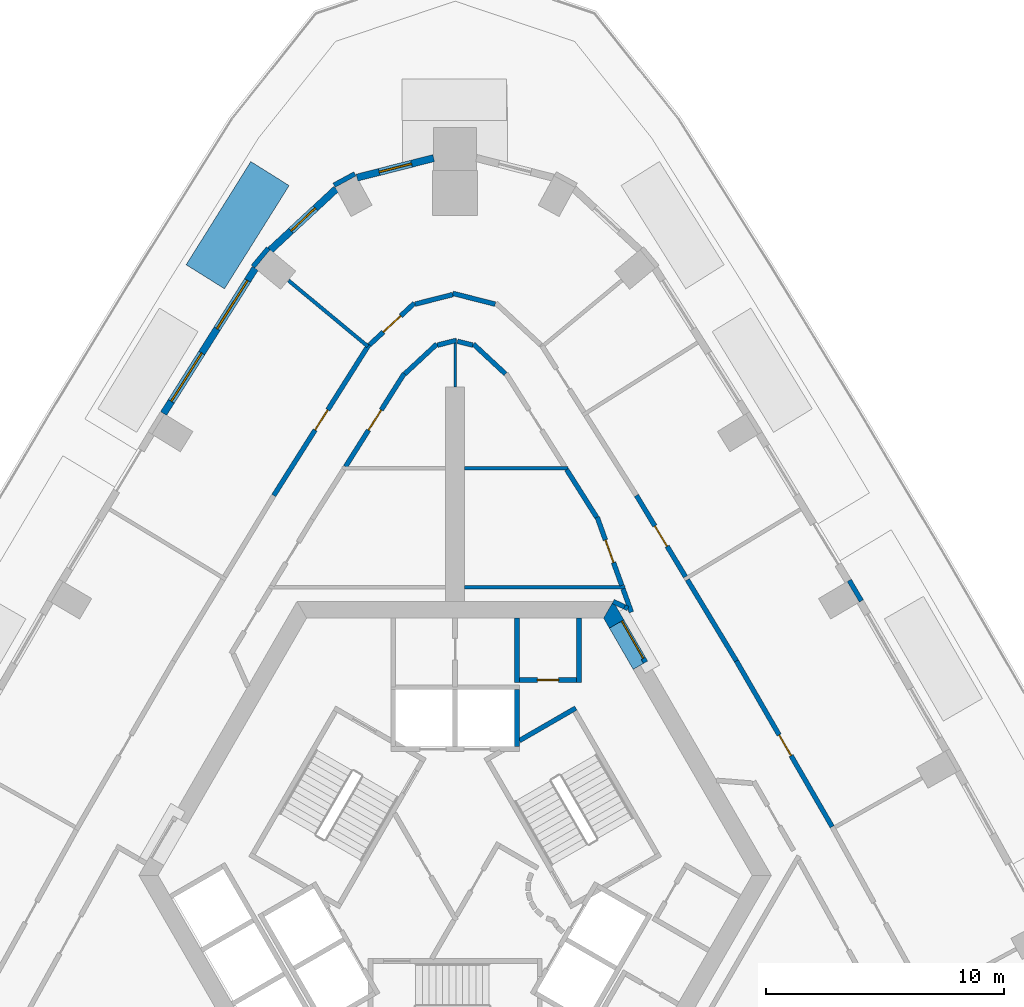
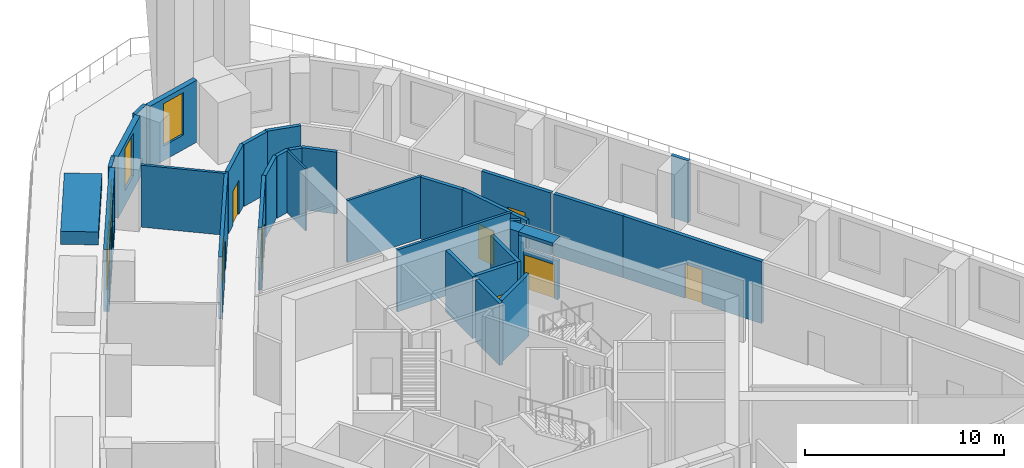
# One storey, part 9 of 13: 36 walls, 8 doors, 4 windows, 12 openings.
"""IFC4 building model written with IfcOpenShell, lengths in metres."""

import ifcopenshell
import ifcopenshell.guid

model = None  # the IFC model being written
_history = None  # IfcOwnerHistory: only IFC2X3 demands one
_inside = {}  # id of a spatial element -> (the spatial element, [elements in it])
_under = {}  # id of a project, library or spatial element -> (it, [spatial elements below it])
_declared = {}  # id of a project -> (the project, [libraries it declares])
_typed = {}  # id of a type object -> (the type object, [elements of that type])
_made_of = {}  # id of a material, layer set ... -> (it, [elements and type objects made of it])


def new_model(schema):
    """Start an empty IFC model of exactly this schema.

    Asked for "IFC4X3", IfcOpenShell would pick the latest addendum, in which some entities
    have other attributes; the version numbers below select the first issue.
    IFC2X3 requires an IfcOwnerHistory on every rooted entity: one is made here for all.
    """
    global model, _history
    if schema == "IFC4X3":
        model = ifcopenshell.file(schema_version=(4, 3, 0, 0))
    else:
        model = ifcopenshell.file(schema=schema)
    _inside.clear()
    _under.clear()
    _declared.clear()
    _typed.clear()
    _made_of.clear()
    _history = None
    if model.schema == "IFC2X3":
        org = make("IfcOrganization", Name="unknown")
        user = make(
            "IfcPersonAndOrganization",
            ThePerson=make("IfcPerson", FamilyName="unknown"),
            TheOrganization=org,
        )
        app = make(
            "IfcApplication",
            ApplicationDeveloper=org,
            Version="unknown",
            ApplicationFullName="unknown",
            ApplicationIdentifier="unknown",
        )
        _history = make(
            "IfcOwnerHistory",
            OwningUser=user,
            OwningApplication=app,
            ChangeAction="ADDED",
            CreationDate=0,
        )
    return model


def make(cls, **values):
    """One entity of the class cls with the attributes given. An attribute that is None is left unset."""
    return model.create_entity(
        cls, **{name: value for name, value in values.items() if value is not None}
    )


def rooted(cls, **values):
    """An entity with a GlobalId (a new one), such as an element, a storey or a relation."""
    return make(cls, GlobalId=ifcopenshell.guid.new(), OwnerHistory=_history, **values)


def si_unit(unit_type, name, prefix=None):
    """IfcSIUnit, for example si_unit("LENGTHUNIT", "METRE", prefix="MILLI")."""
    return make("IfcSIUnit", UnitType=unit_type, Prefix=prefix, Name=name)


def assignment(units):
    """IfcUnitAssignment: the units of a project."""
    return None if units is None else make("IfcUnitAssignment", Units=units)


def point(xyz):
    """IfcCartesianPoint."""
    return None if xyz is None else make("IfcCartesianPoint", Coordinates=xyz)


def direction(xyz):
    """IfcDirection."""
    return None if xyz is None else make("IfcDirection", DirectionRatios=xyz)


def frame(location, z_axis=None, x_axis=None):
    """IfcAxis2Placement3D, a coordinate frame: its origin and axes. An axis left out is left unset."""
    return make(
        "IfcAxis2Placement3D",
        Location=point(location),
        Axis=direction(z_axis),
        RefDirection=direction(x_axis),
    )


def frame_2d(location, x_axis=None):
    """IfcAxis2Placement2D, a coordinate frame in the plane: its origin and x axis."""
    return make(
        "IfcAxis2Placement2D", Location=point(location), RefDirection=direction(x_axis)
    )


def origin():
    """The frame at (0, 0, 0) with its axes left unset."""
    return frame((0.0, 0.0, 0.0))


def place(relative_to, where):
    """IfcLocalPlacement: puts the frame where relative to a parent placement (None: the world)."""
    return make(
        "IfcLocalPlacement", PlacementRelTo=relative_to, RelativePlacement=where
    )


def context(
    kind, dimensions, precision=None, world=None, true_north=None, identifier=None
):
    """IfcGeometricRepresentationContext, for example the 3D "Model" context."""
    return make(
        "IfcGeometricRepresentationContext",
        ContextIdentifier=identifier,
        ContextType=kind,
        CoordinateSpaceDimension=dimensions,
        Precision=precision,
        WorldCoordinateSystem=world,
        TrueNorth=true_north,
    )


def subcontext(parent, identifier, kind, view, scale=None):
    """IfcGeometricRepresentationSubContext, for example "Body" below "Model"."""
    return make(
        "IfcGeometricRepresentationSubContext",
        ContextIdentifier=identifier,
        ContextType=kind,
        ParentContext=parent,
        TargetScale=scale,
        TargetView=view,
    )


def project(units=None, contexts=None):
    """IfcProject with its units and contexts."""
    return rooted(
        "IfcProject",
        Name="project",
        RepresentationContexts=contexts,
        UnitsInContext=assignment(units),
    )


def spatial(cls, under=None, at=None, **own):
    """A site, building, storey or space (cls), placed at a placement, below another one or the project."""
    s = rooted(cls, ObjectPlacement=at, **own)
    if under is not None:
        _under.setdefault(under.id(), (under, []))[1].append(s)
    return s


def polyline(points):
    """IfcPolyline through the points."""
    return make("IfcPolyline", Points=[point(p) for p in points])


def profile(cls, at=None, kind="AREA", **sizes):
    """A parametric profile (cls). Its sizes go by their IFC names, for example OverallWidth=200.0."""
    return make(cls, ProfileType=kind, Position=at, **sizes)


def rectangle(**sizes):
    """IfcRectangleProfileDef."""
    return profile("IfcRectangleProfileDef", **sizes)


def outline(outer, holes=None, kind="AREA"):
    """IfcArbitraryClosedProfileDef: a profile drawn as a closed curve; with holes, ...WithVoids."""
    if holes is None:
        return make("IfcArbitraryClosedProfileDef", ProfileType=kind, OuterCurve=outer)
    return make(
        "IfcArbitraryProfileDefWithVoids",
        ProfileType=kind,
        OuterCurve=outer,
        InnerCurves=holes,
    )


def extrude(swept, where, along, depth):
    """IfcExtrudedAreaSolid: the profile swept, set in the frame where, extruded along a direction by depth."""
    return make(
        "IfcExtrudedAreaSolid",
        SweptArea=swept,
        Position=where,
        ExtrudedDirection=direction(along),
        Depth=depth,
    )


def shape(context_of_items, identifier, shape_type, items):
    """IfcShapeRepresentation: the items that make up one representation, for example the "Body"."""
    return make(
        "IfcShapeRepresentation",
        ContextOfItems=context_of_items,
        RepresentationIdentifier=identifier,
        RepresentationType=shape_type,
        Items=items,
    )


def material(Name=None, Category=None):
    """IfcMaterial."""
    return make("IfcMaterial", Name=Name, Category=Category)


def layer(
    of_material, thickness, ventilated=None, Name=None, Category=None, Priority=None
):
    """IfcMaterialLayer: one layer of a wall or slab, of a material (None: an air gap)."""
    return make(
        "IfcMaterialLayer",
        Material=of_material,
        LayerThickness=thickness,
        IsVentilated=ventilated,
        Name=Name,
        Category=Category,
        Priority=Priority,
    )


def layer_set(layers, Name=None):
    """IfcMaterialLayerSet."""
    return make("IfcMaterialLayerSet", MaterialLayers=layers, LayerSetName=Name)


def made_of(thing, what):
    """Note that an element or type object is made of a material, layer set ...; save() writes the relation."""
    if what is not None:
        _made_of.setdefault(what.id(), (what, []))[1].append(thing)
    return thing


def type_object(cls, material=None, **own):
    """A type object (cls), such as IfcWallType, which elements share."""
    return made_of(rooted(cls, **own), material)


def element(
    cls,
    number,
    at=None,
    inside=None,
    cuts=None,
    type_object=None,
    material=None,
    context=None,
    identifier="Body",
    shape_type=None,
    held_by="IfcProductDefinitionShape",
    body=None,
    shapes=None,
    **own,
):
    """One element of the class cls, such as IfcWall. Its Tag is "e" and its number.

    at: its placement. inside: the storey or other place that contains it. cuts: it is an
    opening in that element (IfcRelVoidsElement). A single representation is given by context,
    identifier, shape_type and body (its items); several are given by shapes. held_by: the class
    of the entity that holds the representations. save() writes the other relations.
    """
    e = rooted(cls, Tag="e%d" % number, ObjectPlacement=at, **own)
    if body is not None:
        shapes = [shape(context, identifier, shape_type, body)]
    if shapes is not None:
        e.Representation = make(held_by, Representations=shapes)
    if inside is not None:
        _inside.setdefault(inside.id(), (inside, []))[1].append(e)
    if cuts is not None:
        rooted(
            "IfcRelVoidsElement", RelatingBuildingElement=cuts, RelatedOpeningElement=e
        )
    if type_object is not None:
        _typed.setdefault(type_object.id(), (type_object, []))[1].append(e)
    return made_of(e, material)


def fill(opening, filler):
    """IfcRelFillsElement: the door or window that sits in an opening."""
    return rooted(
        "IfcRelFillsElement",
        RelatingOpeningElement=opening,
        RelatedBuildingElement=filler,
    )


def aggregate(whole, parts):
    """IfcRelAggregates: a whole, such as a stair, and the parts it consists of."""
    return rooted("IfcRelAggregates", RelatingObject=whole, RelatedObjects=parts)


def save(model, path):
    """Write the relations noted so far, then the file.

    IfcRelAggregates (storeys below a building ...), IfcRelContainedInSpatialStructure (elements
    in a storey), IfcRelDefinesByType, IfcRelAssociatesMaterial and IfcRelDeclares: one each for
    every whole, place, type object, material and project.
    """
    for whole, parts in _under.values():
        aggregate(whole, parts)
    for where, things in _inside.values():
        rooted(
            "IfcRelContainedInSpatialStructure",
            RelatedElements=things,
            RelatingStructure=where,
        )
    for kind, things in _typed.values():
        rooted("IfcRelDefinesByType", RelatedObjects=things, RelatingType=kind)
    for what, things in _made_of.values():
        rooted("IfcRelAssociatesMaterial", RelatedObjects=things, RelatingMaterial=what)
    for by, libraries in _declared.values():
        rooted("IfcRelDeclares", RelatingContext=by, RelatedDefinitions=libraries)
    model.write(path)


model = new_model("IFC4")

# Units and contexts
model_context = context("Model", 3, precision=1e-05, world=origin(), true_north=direction((0.0, 1.0)))
body_context = subcontext(model_context, "Body", "Model", "MODEL_VIEW")
ifc_project = project(units=[si_unit("LENGTHUNIT", "METRE"), si_unit("AREAUNIT", "SQUARE_METRE"), si_unit("VOLUMEUNIT", "CUBIC_METRE"), si_unit("PLANEANGLEUNIT", "RADIAN"), si_unit("MASSUNIT", "GRAM", prefix="KILO")], contexts=[model_context])

# Site, building, storey
site_placement = place(None, origin())
site = spatial("IfcSite", under=ifc_project, at=site_placement, CompositionType="ELEMENT")
building_placement = place(site_placement, origin())
building = spatial("IfcBuilding", under=site, at=building_placement, Name="Entoto Arch Interchange Tower", CompositionType="ELEMENT")
storey_placement = place(building_placement, frame((0.0, 0.0, 189.800048828125)))
storey = spatial("IfcBuildingStorey", under=building, at=storey_placement, Name="L42", CompositionType="ELEMENT", Elevation=189.800048828125)

# Wall, opening, door
ifc_material_1 = material(Name="Reinforced concrete C40/50", Category="concrete")
ifc_layer_1 = layer(ifc_material_1, 0.199951171875)
ifc_layer_set_1 = layer_set([ifc_layer_1], Name="Reinforced concrete C40/50")
wall_type_1 = type_object("IfcWallType", Name="CORE GAP INFILL WALL", PredefinedType="PARTITIONING", material=ifc_layer_set_1)
wall_1_placement = place(storey_placement, frame((7.9970703125, 11.447998046875, 0.0), z_axis=(0.0, 0.0, 1.0), x_axis=(-0.50002537861, 0.866010750942, 0.0)))
wall_1 = element("IfcWall", 1, at=wall_1_placement, inside=storey, type_object=wall_type_1, Name="wall:L42:gap2", PredefinedType="PARTITIONING", context=body_context, shape_type="SweptSolid", body=[
    extrude(rectangle(XDim=2.0, YDim=0.199951171875, at=frame_2d((1.0, 0.0))), origin(), (0.0, 0.0, 1.0), 2.39990234375),
])
opening_1_placement = place(wall_1_placement, frame((0.18994140625, 0.0, 0.0)))
opening_1 = element("IfcOpeningElement", 2, at=opening_1_placement, cuts=wall_1, Name="Opening L42-D92", PredefinedType="OPENING", context=body_context, shape_type="SweptSolid", body=[
    extrude(rectangle(XDim=1.800048828125, YDim=2.10009765625, at=frame_2d((0.89990234375, 1.050048828125))), frame((0.0, 0.10986328125, 0.0), z_axis=(0.0, -1.0, 0.0), x_axis=(1.0, 0.0, 0.0)), (0.0, 0.0, 1.0), 0.219970703125),
])
ifc_material_2 = material(Name="Fire-rated Steel S235 door and frame", Category="steel")
door_type_1 = type_object("IfcDoorType", Name="DOOR FD-18 1800x2100", OperationType="DOUBLE_DOOR_SINGLE_SWING", PredefinedType="DOOR", material=ifc_material_2)
door_1_placement = place(opening_1_placement, origin())
door_1 = element("IfcDoor", 3, at=door_1_placement, inside=storey, type_object=door_type_1, Name="door:L42:gap2", OperationType="DOUBLE_DOOR_SINGLE_SWING", OverallHeight=2.10009765625, OverallWidth=1.800048828125, PredefinedType="DOOR", context=body_context, shape_type="SweptSolid", body=[
    extrude(rectangle(XDim=1.800048828125, YDim=2.10009765625, at=frame_2d((0.89990234375, 1.050048828125))), frame((0.0, 0.02490234375, 0.0), z_axis=(0.0, -1.0, 0.0), x_axis=(1.0, 0.0, 0.0)), (0.0, 0.0, 1.0), 0.050048828125),
])
fill(opening_1, door_1)

# Walls
ifc_material_3 = material(Name="Concrete C50/60", Category="concrete")
ifc_layer_2 = layer(ifc_material_3, 0.699951171875)
ifc_layer_set_2 = layer_set([ifc_layer_2], Name="Concrete C50/60")
wall_type_2 = type_object("IfcWallType", Name="Core wall 700 C50/60", PredefinedType="SHEAR", material=ifc_layer_set_2)
wall_2_placement = place(storey_placement, frame((0.0, 0.0, -0.60009765625)))
element("IfcWall", 4, at=wall_2_placement, inside=storey, type_object=wall_type_2, Name="Core wall NE L42", PredefinedType="SHEAR", context=body_context, shape_type="SweptSolid", body=[
    extrude(outline(polyline([(6.47802734375, 12.8798828125), (7.083984375, 13.22998046875), (6.639892578125, 14.0), (6.235107421875, 13.300048828125), (6.47802734375, 12.8798828125)])), origin(), (0.0, 0.0, 1.0), 4.400146484375),
])
wall_3_placement = place(storey_placement, frame((0.0, 0.0, 3.599853515625)))
element("IfcWall", 5, at=wall_3_placement, inside=storey, type_object=wall_type_2, Name="Core wall lintel NE L42", PredefinedType="SHEAR", context=body_context, shape_type="SweptSolid", body=[
    extrude(outline(polyline([(7.083984375, 13.22998046875), (6.47802734375, 12.8798828125), (7.47802734375, 11.14794921875), (8.083984375, 11.498046875), (7.083984375, 13.22998046875)])), origin(), (0.0, 0.0, 1.0), 0.2001953125),
])
ifc_material_4 = material(Name="Concrete C40/50", Category="concrete")
ifc_layer_3 = layer(ifc_material_4, 0.199951171875)
ifc_layer_set_3 = layer_set([ifc_layer_3], Name="Concrete C40/50")
wall_type_3 = type_object("IfcWallType", Name="LIFT SHAFT WALL 200", PredefinedType="STANDARD", material=ifc_layer_set_3)
wall_4_placement = place(storey_placement, frame((2.60009765625, 7.89990234375, 0.0), z_axis=(0.0, 0.0, 1.0), x_axis=(0.0, 1.0, 0.0)))
element("IfcWall", 6, at=wall_4_placement, inside=storey, type_object=wall_type_3, Name="Shaft wall N1 cross 1", PredefinedType="STANDARD", context=body_context, shape_type="SweptSolid", body=[
    extrude(rectangle(XDim=2.400146484375, YDim=0.199951171875, at=frame_2d((1.2001953125, 0.0))), origin(), (0.0, 0.0, 1.0), 3.800048828125),
])
ifc_material_5 = material(Name="Gypsum board partition on steel studs", Category="steel")
ifc_layer_4 = layer(ifc_material_5, 0.10009765625)
ifc_layer_set_4 = layer_set([ifc_layer_4], Name="Gypsum board partition on steel studs")
wall_type_4 = type_object("IfcWallType", Name="PARTITION 100", PredefinedType="PARTITIONING", material=ifc_layer_set_4)
wall_5_placement = place(storey_placement, frame((0.0, 23.0, 0.0), z_axis=(0.0, 0.0, 1.0), x_axis=(0.0, 1.0, 0.0)))
element("IfcWall", 7, at=wall_5_placement, inside=storey, type_object=wall_type_4, Name="wall:L42:p102", PredefinedType="PARTITIONING", context=body_context, shape_type="SweptSolid", body=[
    extrude(rectangle(XDim=2.051025390625, YDim=0.10009765625, at=frame_2d((1.025390625, 0.0))), origin(), (0.0, 0.0, 1.0), 3.800048828125),
])
ifc_layer_5 = layer(ifc_material_5, 0.14990234375)
ifc_layer_set_5 = layer_set([ifc_layer_5], Name="Gypsum board partition on steel studs")
wall_type_5 = type_object("IfcWallType", Name="PARTITION 150", PredefinedType="PARTITIONING", material=ifc_layer_set_5)
wall_6_placement = place(storey_placement, frame((7.1240234375, 14.60009765625, 0.0), z_axis=(0.0, 0.0, 1.0), x_axis=(-1.0, 0.0, 0.0)))
element("IfcWall", 8, at=wall_6_placement, inside=storey, type_object=wall_type_5, Name="wall:L42:p077", PredefinedType="PARTITIONING", context=body_context, shape_type="SweptSolid", body=[
    extrude(rectangle(XDim=6.72412109375, YDim=0.14990234375, at=frame_2d((3.362060546875, 0.0))), origin(), (0.0, 0.0, 1.0), 3.800048828125),
])
wall_7_placement = place(storey_placement, frame((0.39990234375, 19.60009765625, 0.0), z_axis=(0.0, 0.0, 1.0), x_axis=(1.0, 0.0, 0.0)))
element("IfcWall", 9, at=wall_7_placement, inside=storey, type_object=wall_type_5, Name="wall:L42:p100", PredefinedType="PARTITIONING", context=body_context, shape_type="SweptSolid", body=[
    extrude(rectangle(XDim=4.342041015625, YDim=0.14990234375, at=frame_2d((2.1708984375, 0.0))), origin(), (0.0, 0.0, 1.0), 3.800048828125),
])
wall_8_placement = place(storey_placement, frame((-3.6630859375, 24.7099609375, 0.0), z_axis=(0.0, 0.0, 1.0), x_axis=(-0.76953221629, 0.638607992505, 0.0)))
element("IfcWall", 10, at=wall_8_placement, inside=storey, type_object=wall_type_5, Name="wall:L42:p116", PredefinedType="PARTITIONING", context=body_context, shape_type="SweptSolid", body=[
    extrude(rectangle(XDim=4.329833984375, YDim=0.14990234375, at=frame_2d((2.1650390625, 0.0))), origin(), (0.0, 0.0, 1.0), 3.800048828125),
])
ifc_layer_6 = layer(ifc_material_5, 0.199951171875)
ifc_layer_set_6 = layer_set([ifc_layer_6], Name="Gypsum board partition on steel studs")
wall_type_6 = type_object("IfcWallType", Name="PARTITION 200", PredefinedType="PARTITIONING", material=ifc_layer_set_6)
wall_9_placement = place(storey_placement, frame((6.639892578125, 14.0, 0.0), z_axis=(0.0, 0.0, 1.0), x_axis=(0.899046412443, -0.437853341055, 0.0)))
element("IfcWall", 11, at=wall_9_placement, inside=storey, type_object=wall_type_6, Name="wall:L42:p001", PredefinedType="PARTITIONING", context=body_context, shape_type="SweptSolid", body=[
    extrude(rectangle(XDim=0.52294921875, YDim=0.199951171875, at=frame_2d((0.261474609375, 0.0))), origin(), (0.0, 0.0, 1.0), 3.800048828125),
])
wall_10_placement = place(storey_placement, frame((7.40087890625, 13.552001953125, 0.0), z_axis=(0.0, 0.0, 1.0), x_axis=(-0.337944878606, 0.941165904091, 0.0)))
element("IfcWall", 12, at=wall_10_placement, inside=storey, type_object=wall_type_6, Name="wall:L42:p002", PredefinedType="PARTITIONING", context=body_context, shape_type="SweptSolid", body=[
    extrude(rectangle(XDim=1.0380859375, YDim=0.199951171875, at=frame_2d((0.51904296875, 0.0))), origin(), (0.0, 0.0, 1.0), 3.800048828125),
])

# Wall, opening, door
wall_11_placement = place(storey_placement, frame((6.9990234375, 14.6708984375, 0.0), z_axis=(0.0, 0.0, 1.0), x_axis=(-0.338795881304, 0.940859899672, 0.0)))
wall_11 = element("IfcWall", 13, at=wall_11_placement, inside=storey, type_object=wall_type_6, Name="wall:L42:p007", PredefinedType="PARTITIONING", context=body_context, shape_type="SweptSolid", body=[
    extrude(rectangle(XDim=3.0546875, YDim=0.199951171875, at=frame_2d((1.52734375, 0.0))), origin(), (0.0, 0.0, 1.0), 3.800048828125),
])
opening_2_placement = place(wall_11_placement, frame((1.027099609375, 0.0, 0.0)))
opening_2 = element("IfcOpeningElement", 14, at=opening_2_placement, cuts=wall_11, Name="Opening L42-D21", PredefinedType="OPENING", context=body_context, shape_type="SweptSolid", body=[
    extrude(rectangle(XDim=1.0, YDim=2.10009765625, at=frame_2d((0.5, 1.050048828125))), frame((0.0, 0.10986328125, 0.0), z_axis=(0.0, -1.0, 0.0), x_axis=(1.0, 0.0, 0.0)), (0.0, 0.0, 1.0), 0.219970703125),
])
ifc_material_6 = material(Name="Timber door leaf in Steel S235 frame", Category="steel")
door_type_2 = type_object("IfcDoorType", Name="DOOR DS-10 1000x2100", OperationType="SINGLE_SWING_LEFT", PredefinedType="DOOR", material=ifc_material_6)
door_2_placement = place(opening_2_placement, origin())
door_2 = element("IfcDoor", 15, at=door_2_placement, inside=storey, type_object=door_type_2, Name="door:L42:21", OperationType="SINGLE_SWING_LEFT", OverallHeight=2.10009765625, OverallWidth=1.0, PredefinedType="DOOR", context=body_context, shape_type="SweptSolid", body=[
    extrude(rectangle(XDim=1.0, YDim=2.10009765625, at=frame_2d((0.5, 1.050048828125))), frame((0.0, 0.02490234375, 0.0), z_axis=(0.0, -1.0, 0.0), x_axis=(1.0, 0.0, 0.0)), (0.0, 0.0, 1.0), 0.050048828125),
])
fill(opening_2, door_2)

# Walls
wall_12_placement = place(storey_placement, frame((5.945068359375, 17.534912109375, 0.0), z_axis=(0.0, 0.0, 1.0), x_axis=(-0.533581643518, 0.845748561749, 0.0)))
element("IfcWall", 16, at=wall_12_placement, inside=storey, type_object=wall_type_6, Name="wall:L42:p008", PredefinedType="PARTITIONING", context=body_context, shape_type="SweptSolid", body=[
    extrude(rectangle(XDim=2.367431640625, YDim=0.199951171875, at=frame_2d((1.18359375, 0.0))), origin(), (0.0, 0.0, 1.0), 3.800048828125),
])
wall_13_placement = place(storey_placement, frame((2.115966796875, 23.553955078125, 0.0), z_axis=(0.0, 0.0, 1.0), x_axis=(-0.732722533409, 0.680527507919, 0.0)))
element("IfcWall", 17, at=wall_13_placement, inside=storey, type_object=wall_type_6, Name="wall:L42:p012", PredefinedType="PARTITIONING", context=body_context, shape_type="SweptSolid", body=[
    extrude(rectangle(XDim=1.838134765625, YDim=0.199951171875, at=frame_2d((0.9189453125, 0.0))), origin(), (0.0, 0.0, 1.0), 3.800048828125),
])
wall_14_placement = place(storey_placement, frame((0.7451171875, 24.760986328125, 0.0), z_axis=(0.0, 0.0, 1.0), x_axis=(-0.969081307177, 0.246741605895, 0.0)))
element("IfcWall", 18, at=wall_14_placement, inside=storey, type_object=wall_type_6, Name="wall:L42:p013", PredefinedType="PARTITIONING", context=body_context, shape_type="SweptSolid", body=[
    extrude(rectangle(XDim=0.6689453125, YDim=0.199951171875, at=frame_2d((0.33447265625, 0.0))), origin(), (0.0, 0.0, 1.0), 3.800048828125),
])
wall_15_placement = place(storey_placement, frame((0.048095703125, 24.962890625, 0.0), z_axis=(0.0, 0.0, 1.0), x_axis=(-0.969098470359, -0.246674187438, 0.0)))
element("IfcWall", 19, at=wall_15_placement, inside=storey, type_object=wall_type_6, Name="wall:L42:p014", PredefinedType="PARTITIONING", context=body_context, shape_type="SweptSolid", body=[
    extrude(rectangle(XDim=0.818603515625, YDim=0.199951171875, at=frame_2d((0.4091796875, 0.0))), origin(), (0.0, 0.0, 1.0), 3.800048828125),
])
wall_16_placement = place(storey_placement, frame((-0.76904296875, 24.804931640625, 0.0), z_axis=(0.0, 0.0, 1.0), x_axis=(-0.732722533409, -0.680527507919, 0.0)))
element("IfcWall", 20, at=wall_16_placement, inside=storey, type_object=wall_type_6, Name="wall:L42:p015", PredefinedType="PARTITIONING", context=body_context, shape_type="SweptSolid", body=[
    extrude(rectangle(XDim=1.838134765625, YDim=0.199951171875, at=frame_2d((0.9189453125, 0.0))), origin(), (0.0, 0.0, 1.0), 3.800048828125),
])

# Wall, opening, door
wall_17_placement = place(storey_placement, frame((-2.135986328125, 23.571044921875, 0.0), z_axis=(0.0, 0.0, 1.0), x_axis=(-0.533664968846, -0.845695986171, 0.0)))
wall_17 = element("IfcWall", 21, at=wall_17_placement, inside=storey, type_object=wall_type_6, Name="wall:L42:p016", PredefinedType="PARTITIONING", context=body_context, shape_type="SweptSolid", body=[
    extrude(rectangle(XDim=4.62109375, YDim=0.199951171875, at=frame_2d((2.310546875, 0.0))), origin(), (0.0, 0.0, 1.0), 3.800048828125),
])
opening_3_placement = place(wall_17_placement, frame((1.81005859375, 0.0, 0.0)))
opening_3 = element("IfcOpeningElement", 22, at=opening_3_placement, cuts=wall_17, Name="Opening L42-D24", PredefinedType="OPENING", context=body_context, shape_type="SweptSolid", body=[
    extrude(rectangle(XDim=1.0, YDim=2.10009765625, at=frame_2d((0.5, 1.050048828125))), frame((0.0, 0.10986328125, 0.0), z_axis=(0.0, -1.0, 0.0), x_axis=(1.0, 0.0, 0.0)), (0.0, 0.0, 1.0), 0.219970703125),
])
door_3_placement = place(opening_3_placement, origin())
door_3 = element("IfcDoor", 23, at=door_3_placement, inside=storey, type_object=door_type_2, Name="door:L42:24", OperationType="SINGLE_SWING_LEFT", OverallHeight=2.10009765625, OverallWidth=1.0, PredefinedType="DOOR", context=body_context, shape_type="SweptSolid", body=[
    extrude(rectangle(XDim=1.0, YDim=2.10009765625, at=frame_2d((0.5, 1.050048828125))), frame((0.0, 0.02490234375, 0.0), z_axis=(0.0, -1.0, 0.0), x_axis=(1.0, 0.0, 0.0)), (0.0, 0.0, 1.0), 0.050048828125),
])
fill(opening_3, door_3)

# Wall
wall_18_placement = place(storey_placement, frame((9.751953125, 14.910888671875, 0.0), z_axis=(0.0, 0.0, 1.0), x_axis=(0.517135291957, -0.855903668535, 0.0)))
element("IfcWall", 24, at=wall_18_placement, inside=storey, type_object=wall_type_6, Name="wall:L42:p043", PredefinedType="PARTITIONING", context=body_context, shape_type="SweptSolid", body=[
    extrude(rectangle(XDim=3.981689453125, YDim=0.199951171875, at=frame_2d((1.99072265625, 0.0))), origin(), (0.0, 0.0, 1.0), 3.800048828125),
])

# Wall, opening, door
wall_19_placement = place(storey_placement, frame((11.81103515625, 11.5029296875, 0.0), z_axis=(0.0, 0.0, 1.0), x_axis=(0.500013420409, -0.866017655369, 0.0)))
wall_19 = element("IfcWall", 25, at=wall_19_placement, inside=storey, type_object=wall_type_6, Name="wall:L42:p044", PredefinedType="PARTITIONING", context=body_context, shape_type="SweptSolid", body=[
    extrude(rectangle(XDim=8.037841796875, YDim=0.199951171875, at=frame_2d((4.01904296875, 0.0))), origin(), (0.0, 0.0, 1.0), 3.800048828125),
])
opening_4_placement = place(wall_19_placement, frame((3.593994140625, 0.0, 0.0)))
opening_4 = element("IfcOpeningElement", 26, at=opening_4_placement, cuts=wall_19, Name="Opening L42-D06", PredefinedType="OPENING", context=body_context, shape_type="SweptSolid", body=[
    extrude(rectangle(XDim=1.0, YDim=2.10009765625, at=frame_2d((0.5, 1.050048828125))), frame((0.0, 0.10986328125, 0.0), z_axis=(0.0, -1.0, 0.0), x_axis=(1.0, 0.0, 0.0)), (0.0, 0.0, 1.0), 0.219970703125),
])
door_4_placement = place(opening_4_placement, origin())
door_4 = element("IfcDoor", 27, at=door_4_placement, inside=storey, type_object=door_type_2, Name="door:L42:06", OperationType="SINGLE_SWING_LEFT", OverallHeight=2.10009765625, OverallWidth=1.0, PredefinedType="DOOR", context=body_context, shape_type="SweptSolid", body=[
    extrude(rectangle(XDim=1.0, YDim=2.10009765625, at=frame_2d((0.5, 1.050048828125))), frame((0.0, 0.02490234375, 0.0), z_axis=(0.0, -1.0, 0.0), x_axis=(1.0, 0.0, 0.0)), (0.0, 0.0, 1.0), 0.050048828125),
])
fill(opening_4, door_4)

wall_20_placement = place(storey_placement, frame((7.614990234375, 18.448974609375, 0.0), z_axis=(0.0, 0.0, 1.0), x_axis=(0.516918251554, -0.856034766356, 0.0)))
wall_20 = element("IfcWall", 28, at=wall_20_placement, inside=storey, type_object=wall_type_6, Name="wall:L42:p046", PredefinedType="PARTITIONING", context=body_context, shape_type="SweptSolid", body=[
    extrude(rectangle(XDim=3.9833984375, YDim=0.199951171875, at=frame_2d((1.99169921875, 0.0))), origin(), (0.0, 0.0, 1.0), 3.800048828125),
])
opening_5_placement = place(wall_20_placement, frame((1.491943359375, 0.0, 0.0)))
opening_5 = element("IfcOpeningElement", 29, at=opening_5_placement, cuts=wall_20, Name="Opening L42-D07", PredefinedType="OPENING", context=body_context, shape_type="SweptSolid", body=[
    extrude(rectangle(XDim=1.0, YDim=2.10009765625, at=frame_2d((0.5, 1.050048828125))), frame((0.0, 0.10986328125, 0.0), z_axis=(0.0, -1.0, 0.0), x_axis=(1.0, 0.0, 0.0)), (0.0, 0.0, 1.0), 0.219970703125),
])
door_5_placement = place(opening_5_placement, origin())
door_5 = element("IfcDoor", 30, at=door_5_placement, inside=storey, type_object=door_type_2, Name="door:L42:07", OperationType="SINGLE_SWING_LEFT", OverallHeight=2.10009765625, OverallWidth=1.0, PredefinedType="DOOR", context=body_context, shape_type="SweptSolid", body=[
    extrude(rectangle(XDim=1.0, YDim=2.10009765625, at=frame_2d((0.5, 1.050048828125))), frame((0.0, 0.02490234375, 0.0), z_axis=(0.0, -1.0, 0.0), x_axis=(1.0, 0.0, 0.0)), (0.0, 0.0, 1.0), 0.050048828125),
])
fill(opening_5, door_5)

wall_21_placement = place(storey_placement, frame((-3.590087890625, 24.778076171875, 0.0), z_axis=(0.0, 0.0, 1.0), x_axis=(0.732939008525, 0.680294355248, 0.0)))
wall_21 = element("IfcWall", 31, at=wall_21_placement, inside=storey, type_object=wall_type_6, Name="wall:L42:p048", PredefinedType="PARTITIONING", context=body_context, shape_type="SweptSolid", body=[
    extrude(rectangle(XDim=2.569091796875, YDim=0.199951171875, at=frame_2d((1.28466796875, 0.0))), origin(), (0.0, 0.0, 1.0), 3.800048828125),
])
opening_6_placement = place(wall_21_placement, frame((0.784912109375, 0.0, 0.0)))
opening_6 = element("IfcOpeningElement", 32, at=opening_6_placement, cuts=wall_21, Name="Opening L42-D09", PredefinedType="OPENING", context=body_context, shape_type="SweptSolid", body=[
    extrude(rectangle(XDim=1.0, YDim=2.10009765625, at=frame_2d((0.5, 1.050048828125))), frame((0.0, 0.10986328125, 0.0), z_axis=(0.0, -1.0, 0.0), x_axis=(1.0, 0.0, 0.0)), (0.0, 0.0, 1.0), 0.219970703125),
])
door_6_placement = place(opening_6_placement, origin())
door_6 = element("IfcDoor", 33, at=door_6_placement, inside=storey, type_object=door_type_2, Name="door:L42:09", OperationType="SINGLE_SWING_LEFT", OverallHeight=2.10009765625, OverallWidth=1.0, PredefinedType="DOOR", context=body_context, shape_type="SweptSolid", body=[
    extrude(rectangle(XDim=1.0, YDim=2.10009765625, at=frame_2d((0.5, 1.050048828125))), frame((0.0, 0.02490234375, 0.0), z_axis=(0.0, -1.0, 0.0), x_axis=(1.0, 0.0, 0.0)), (0.0, 0.0, 1.0), 0.050048828125),
])
fill(opening_6, door_6)

# Walls
wall_22_placement = place(storey_placement, frame((-1.68310546875, 26.48291015625, 0.0), z_axis=(0.0, 0.0, 1.0), x_axis=(0.969053723172, 0.246849917169, 0.0)))
element("IfcWall", 34, at=wall_22_placement, inside=storey, type_object=wall_type_6, Name="wall:L42:p049", PredefinedType="PARTITIONING", context=body_context, shape_type="SweptSolid", body=[
    extrude(rectangle(XDim=1.63671875, YDim=0.199951171875, at=frame_2d((0.818359375, 0.0))), origin(), (0.0, 0.0, 1.0), 3.800048828125),
])
wall_23_placement = place(storey_placement, frame((-0.096923828125, 26.93603515625, 0.0), z_axis=(0.0, 0.0, 1.0), x_axis=(0.969093707519, -0.246692898252, 0.0)))
element("IfcWall", 35, at=wall_23_placement, inside=storey, type_object=wall_type_6, Name="wall:L42:p050", PredefinedType="PARTITIONING", context=body_context, shape_type="SweptSolid", body=[
    extrude(rectangle(XDim=1.8369140625, YDim=0.199951171875, at=frame_2d((0.91845703125, 0.0))), origin(), (0.0, 0.0, 1.0), 3.800048828125),
])

# Wall, opening, door
wall_24_placement = place(storey_placement, frame((-7.614990234375, 18.448974609375, 0.0), z_axis=(0.0, 0.0, 1.0), x_axis=(0.533699180497, 0.845674396406, 0.0)))
wall_24 = element("IfcWall", 36, at=wall_24_placement, inside=storey, type_object=wall_type_6, Name="wall:L42:p053", PredefinedType="PARTITIONING", context=body_context, shape_type="SweptSolid", body=[
    extrude(rectangle(XDim=7.50390625, YDim=0.199951171875, at=frame_2d((3.751953125, 0.0))), origin(), (0.0, 0.0, 1.0), 3.800048828125),
])
opening_7_placement = place(wall_24_placement, frame((3.251953125, 0.0, 0.0)))
opening_7 = element("IfcOpeningElement", 37, at=opening_7_placement, cuts=wall_24, Name="Opening L42-D10", PredefinedType="OPENING", context=body_context, shape_type="SweptSolid", body=[
    extrude(rectangle(XDim=1.0, YDim=2.10009765625, at=frame_2d((0.5, 1.050048828125))), frame((0.0, 0.10986328125, 0.0), z_axis=(0.0, -1.0, 0.0), x_axis=(1.0, 0.0, 0.0)), (0.0, 0.0, 1.0), 0.219970703125),
])
door_7_placement = place(opening_7_placement, origin())
door_7 = element("IfcDoor", 38, at=door_7_placement, inside=storey, type_object=door_type_2, Name="door:L42:10", OperationType="SINGLE_SWING_RIGHT", OverallHeight=2.10009765625, OverallWidth=1.0, PredefinedType="DOOR", context=body_context, shape_type="SweptSolid", body=[
    extrude(rectangle(XDim=1.0, YDim=2.10009765625, at=frame_2d((0.5, 1.050048828125))), frame((0.0, 0.02490234375, 0.0), z_axis=(0.0, -1.0, 0.0), x_axis=(1.0, 0.0, 0.0)), (0.0, 0.0, 1.0), 0.050048828125),
])
fill(opening_7, door_7)

# Wall
wall_25_placement = place(storey_placement, frame((5.199951171875, 13.300048828125, 0.0), z_axis=(0.0, 0.0, 1.0), x_axis=(0.0, -1.0, 0.0)))
element("IfcWall", 39, at=wall_25_placement, inside=storey, type_object=wall_type_6, Name="wall:L42:p066", PredefinedType="PARTITIONING", context=body_context, shape_type="SweptSolid", body=[
    extrude(rectangle(XDim=2.699951171875, YDim=0.199951171875, at=frame_2d((1.35009765625, 0.0))), origin(), (0.0, 0.0, 1.0), 3.800048828125),
])

# Wall, opening, door
wall_26_placement = place(storey_placement, frame((5.10009765625, 10.699951171875, 0.0), z_axis=(0.0, 0.0, 1.0), x_axis=(-1.0, 0.0, 0.0)))
wall_26 = element("IfcWall", 40, at=wall_26_placement, inside=storey, type_object=wall_type_6, Name="wall:L42:p067", PredefinedType="PARTITIONING", context=body_context, shape_type="SweptSolid", body=[
    extrude(rectangle(XDim=2.400146484375, YDim=0.199951171875, at=frame_2d((1.2001953125, 0.0))), origin(), (0.0, 0.0, 1.0), 3.800048828125),
])
opening_8_placement = place(wall_26_placement, frame((0.75, 0.0, 0.0)))
opening_8 = element("IfcOpeningElement", 41, at=opening_8_placement, cuts=wall_26, Name="Opening L42-D30", PredefinedType="OPENING", context=body_context, shape_type="SweptSolid", body=[
    extrude(rectangle(XDim=0.89990234375, YDim=2.10009765625, at=frame_2d((0.449951171875, 1.050048828125))), frame((0.0, 0.10986328125, 0.0), z_axis=(0.0, -1.0, 0.0), x_axis=(1.0, 0.0, 0.0)), (0.0, 0.0, 1.0), 0.219970703125),
])
door_type_3 = type_object("IfcDoorType", Name="DOOR DS-09 900x2100", OperationType="SINGLE_SWING_LEFT", PredefinedType="DOOR", material=ifc_material_6)
door_8_placement = place(opening_8_placement, origin())
door_8 = element("IfcDoor", 42, at=door_8_placement, inside=storey, type_object=door_type_3, Name="door:L42:30", OperationType="SINGLE_SWING_RIGHT", OverallHeight=2.10009765625, OverallWidth=0.89990234375, PredefinedType="DOOR", context=body_context, shape_type="SweptSolid", body=[
    extrude(rectangle(XDim=0.89990234375, YDim=2.10009765625, at=frame_2d((0.449951171875, 1.050048828125))), frame((0.0, 0.02490234375, 0.0), z_axis=(0.0, -1.0, 0.0), x_axis=(1.0, 0.0, 0.0)), (0.0, 0.0, 1.0), 0.050048828125),
])
fill(opening_8, door_8)

# Walls
wall_27_placement = place(storey_placement, frame((2.60009765625, 10.60009765625, 0.0), z_axis=(0.0, 0.0, 1.0), x_axis=(0.0, 1.0, 0.0)))
element("IfcWall", 43, at=wall_27_placement, inside=storey, type_object=wall_type_6, Name="wall:L42:p068", PredefinedType="PARTITIONING", context=body_context, shape_type="SweptSolid", body=[
    extrude(rectangle(XDim=2.699951171875, YDim=0.199951171875, at=frame_2d((1.35009765625, 0.0))), origin(), (0.0, 0.0, 1.0), 3.800048828125),
])
wall_28_placement = place(storey_placement, frame((7.110107421875, 13.77099609375, 0.0), z_axis=(0.0, 0.0, 1.0), x_axis=(0.900120852209, -0.435640277545, 0.0)))
element("IfcWall", 44, at=wall_28_placement, inside=storey, type_object=wall_type_6, Name="wall:L42:p001", PredefinedType="PARTITIONING", context=body_context, shape_type="SweptSolid", body=[
    extrude(rectangle(XDim=0.160888671875, YDim=0.199951171875, at=frame_2d((0.08056640625, 0.0))), origin(), (0.0, 0.0, 1.0), 2.39990234375),
])
ifc_material_7 = material(Name="Board-marked precast concrete C50/60", Category="concrete")
ifc_layer_7 = layer(ifc_material_7, 1.89990234375)
ifc_layer_set_7 = layer_set([ifc_layer_7], Name="Board-marked precast concrete C50/60")
wall_type_7 = type_object("IfcWallType", Name="PLANTER RC 1900 Juniperus procera", PredefinedType="STANDARD", material=ifc_layer_set_7)
wall_29_placement = place(storey_placement, frame((-7.77392578125, 31.967041015625, 0.0), z_axis=(0.0, 0.0, 1.0), x_axis=(-0.530891180882, -0.847440000272, 0.0)))
element("IfcWall", 45, at=wall_29_placement, inside=storey, type_object=wall_type_7, Name="Terrace planter NW-01 L42", PredefinedType="STANDARD", context=body_context, shape_type="SweptSolid", body=[
    extrude(rectangle(XDim=5.1142578125, YDim=1.89990234375, at=frame_2d((2.55712890625, 0.0))), origin(), (0.0, 0.0, 1.0), 0.800048828125),
])
ifc_layer_8 = layer(ifc_material_4, 0.199951171875)
ifc_layer_set_8 = layer_set([ifc_layer_8], Name="Concrete C40/50")
wall_type_8 = type_object("IfcWallType", Name="STAIR ENCLOSURE WALL 200", PredefinedType="STANDARD", material=ifc_layer_set_8)
wall_30_placement = place(storey_placement, frame((2.699951171875, 8.157958984375, 0.0), z_axis=(0.0, 0.0, 1.0), x_axis=(0.86611865017, 0.499838457731, 0.0)))
element("IfcWall", 46, at=wall_30_placement, inside=storey, type_object=wall_type_8, Name="Stair wall ST-NE far", PredefinedType="STANDARD", context=body_context, shape_type="SweptSolid", body=[
    extrude(rectangle(XDim=2.73291015625, YDim=0.199951171875, at=frame_2d((1.366455078125, 0.0))), origin(), (0.0, 0.0, 1.0), 3.800048828125),
])

# Wall, opening, window
ifc_material_8 = material(Name="Welded tuff (ignimbrite) cladding, warm buff", Category="masonry")
ifc_layer_9 = layer(ifc_material_8, 0.300048828125)
ifc_layer_set_9 = layer_set([ifc_layer_9], Name="Welded tuff (ignimbrite) cladding, warm buff")
wall_type_9 = type_object("IfcWallType", Name="STONE INFILL WALL 300", PredefinedType="STANDARD", material=ifc_layer_set_9)
wall_31_placement = place(storey_placement, frame((-0.89892578125, 32.615966796875, 0.0), z_axis=(0.0, 0.0, 1.0), x_axis=(-0.969087915137, -0.24671565158, 0.0)))
wall_31 = element("IfcWall", 47, at=wall_31_placement, inside=storey, type_object=wall_type_9, Name="Facade wall N-03 L42", PredefinedType="STANDARD", context=body_context, shape_type="SweptSolid", body=[
    extrude(rectangle(XDim=3.323974609375, YDim=0.300048828125, at=frame_2d((1.662109375, 0.0))), origin(), (0.0, 0.0, 1.0), 3.800048828125),
])
opening_9_placement = place(wall_31_placement, frame((0.9619140625, 0.0, 0.89990234375)))
opening_9 = element("IfcOpeningElement", 48, at=opening_9_placement, cuts=wall_31, Name="Opening WO-B", PredefinedType="OPENING", context=body_context, shape_type="SweptSolid", body=[
    extrude(rectangle(XDim=1.39990234375, YDim=2.60009765625, at=frame_2d((0.699951171875, 1.300048828125))), frame((0.0, 0.16015625, 0.0), z_axis=(0.0, -1.0, 0.0), x_axis=(1.0, 0.0, 0.0)), (0.0, 0.0, 1.0), 0.320068359375),
])
ifc_material_9 = material(Name="Clear glass, low-e double glazed", Category="glass")
window_type_1 = type_object("IfcWindowType", Name="WINDOW WO-B 1400x2600", PartitioningType="DOUBLE_PANEL_VERTICAL", PredefinedType="WINDOW", material=ifc_material_9)
window_1_placement = place(opening_9_placement, origin())
window_1 = element("IfcWindow", 49, at=window_1_placement, inside=storey, type_object=window_type_1, Name="Window WO-B N-03 L42", OverallHeight=2.60009765625, OverallWidth=1.39990234375, PartitioningType="SINGLE_PANEL", PredefinedType="WINDOW", context=body_context, shape_type="SweptSolid", body=[
    extrude(rectangle(XDim=1.39990234375, YDim=2.60009765625, at=frame_2d((0.699951171875, 1.300048828125))), frame((0.0, 0.030029296875, 0.0), z_axis=(0.0, -1.0, 0.0), x_axis=(1.0, 0.0, 0.0)), (0.0, 0.0, 1.0), 0.06005859375),
])
fill(opening_9, window_1)

wall_32_placement = place(storey_placement, frame((-4.99609375, 31.319091796875, 0.0), z_axis=(0.0, 0.0, 1.0), x_axis=(-0.732897351132, -0.680339233547, 0.0)))
wall_32 = element("IfcWall", 50, at=wall_32_placement, inside=storey, type_object=wall_type_9, Name="Facade wall N-04 L42", PredefinedType="STANDARD", context=body_context, shape_type="SweptSolid", body=[
    extrude(rectangle(XDim=3.767333984375, YDim=0.300048828125, at=frame_2d((1.8837890625, 0.0))), origin(), (0.0, 0.0, 1.0), 3.800048828125),
])
opening_10_placement = place(wall_32_placement, frame((1.18408203125, 0.0, 0.89990234375)))
opening_10 = element("IfcOpeningElement", 51, at=opening_10_placement, cuts=wall_32, Name="Opening WO-B", PredefinedType="OPENING", context=body_context, shape_type="SweptSolid", body=[
    extrude(rectangle(XDim=1.39990234375, YDim=2.60009765625, at=frame_2d((0.699951171875, 1.300048828125))), frame((0.0, 0.16015625, 0.0), z_axis=(0.0, -1.0, 0.0), x_axis=(1.0, 0.0, 0.0)), (0.0, 0.0, 1.0), 0.320068359375),
])
window_2_placement = place(opening_10_placement, origin())
window_2 = element("IfcWindow", 52, at=window_2_placement, inside=storey, type_object=window_type_1, Name="Window WO-B N-04 L42", OverallHeight=2.60009765625, OverallWidth=1.39990234375, PartitioningType="SINGLE_PANEL", PredefinedType="WINDOW", context=body_context, shape_type="SweptSolid", body=[
    extrude(rectangle(XDim=1.39990234375, YDim=2.60009765625, at=frame_2d((0.699951171875, 1.300048828125))), frame((0.0, 0.030029296875, 0.0), z_axis=(0.0, -1.0, 0.0), x_axis=(1.0, 0.0, 0.0)), (0.0, 0.0, 1.0), 0.06005859375),
])
fill(opening_10, window_2)

# Wall, openings, windows
wall_33_placement = place(storey_placement, frame((-8.39404296875, 27.988037109375, 0.0), z_axis=(0.0, 0.0, 1.0), x_axis=(-0.533680752529, -0.845686025887, 0.0)))
wall_33 = element("IfcWall", 53, at=wall_33_placement, inside=storey, type_object=wall_type_9, Name="Facade wall NW-01 L42", PredefinedType="STANDARD", context=body_context, shape_type="SweptSolid", body=[
    extrude(rectangle(XDim=7.208251953125, YDim=0.300048828125, at=frame_2d((3.60400390625, 0.0))), origin(), (0.0, 0.0, 1.0), 3.800048828125),
])
opening_11_placement = place(wall_33_placement, frame((0.60205078125, 0.0, 0.89990234375)))
opening_11 = element("IfcOpeningElement", 54, at=opening_11_placement, cuts=wall_33, Name="Opening WO-A", PredefinedType="OPENING", context=body_context, shape_type="SweptSolid", body=[
    extrude(rectangle(XDim=2.39990234375, YDim=2.60009765625, at=frame_2d((1.199951171875, 1.300048828125))), frame((0.0, 0.16015625, 0.0), z_axis=(0.0, -1.0, 0.0), x_axis=(1.0, 0.0, 0.0)), (0.0, 0.0, 1.0), 0.320068359375),
])
opening_12_placement = place(wall_33_placement, frame((4.2060546875, 0.0, 0.89990234375)))
opening_12 = element("IfcOpeningElement", 55, at=opening_12_placement, cuts=wall_33, Name="Opening WO-A", PredefinedType="OPENING", context=body_context, shape_type="SweptSolid", body=[
    extrude(rectangle(XDim=2.39990234375, YDim=2.60009765625, at=frame_2d((1.199951171875, 1.300048828125))), frame((0.0, 0.16015625, 0.0), z_axis=(0.0, -1.0, 0.0), x_axis=(1.0, 0.0, 0.0)), (0.0, 0.0, 1.0), 0.320068359375),
])
window_type_2 = type_object("IfcWindowType", Name="WINDOW WO-A 2400x2600", PartitioningType="DOUBLE_PANEL_VERTICAL", PredefinedType="WINDOW", material=ifc_material_9)
window_3_placement = place(opening_11_placement, origin())
window_3 = element("IfcWindow", 56, at=window_3_placement, inside=storey, type_object=window_type_2, Name="Window WO-A NW-01 L42", OverallHeight=2.60009765625, OverallWidth=2.39990234375, PartitioningType="SINGLE_PANEL", PredefinedType="WINDOW", context=body_context, shape_type="SweptSolid", body=[
    extrude(rectangle(XDim=2.39990234375, YDim=2.60009765625, at=frame_2d((1.199951171875, 1.300048828125))), frame((0.0, 0.030029296875, 0.0), z_axis=(0.0, -1.0, 0.0), x_axis=(1.0, 0.0, 0.0)), (0.0, 0.0, 1.0), 0.06005859375),
])
fill(opening_11, window_3)
window_4_placement = place(opening_12_placement, origin())
window_4 = element("IfcWindow", 57, at=window_4_placement, inside=storey, type_object=window_type_2, Name="Window WO-A NW-01 L42", OverallHeight=2.60009765625, OverallWidth=2.39990234375, PartitioningType="SINGLE_PANEL", PredefinedType="WINDOW", context=body_context, shape_type="SweptSolid", body=[
    extrude(rectangle(XDim=2.39990234375, YDim=2.60009765625, at=frame_2d((1.199951171875, 1.300048828125))), frame((0.0, 0.030029296875, 0.0), z_axis=(0.0, -1.0, 0.0), x_axis=(1.0, 0.0, 0.0)), (0.0, 0.0, 1.0), 0.06005859375),
])
fill(opening_12, window_4)

# Walls
ifc_layer_10 = layer(ifc_material_8, 0.199951171875)
ifc_layer_set_10 = layer_set([ifc_layer_10], Name="Welded tuff (ignimbrite) cladding, warm buff")
wall_type_10 = type_object("IfcWallType", Name="STONE PIER CLADDING 200", PredefinedType="STANDARD", material=ifc_layer_set_10)
for number, where, z_axis, x_axis, name in (
    (58, (-4.2060546875, 31.9560546875, 0.0), (0.0, 0.0, 1.0), (-0.878250009632, -0.478201757191, 0.0), "Stone pier N3 L42"),
    (59, (17.05908203125, 14.02294921875, 0.0), (0.0, 0.0, 1.0), (-0.508161541526, 0.861261776531, 0.0), "Stone pier NE04 L42"),
):
    element("IfcWall", number, at=place(storey_placement, frame(where, z_axis=z_axis, x_axis=x_axis)), inside=storey, type_object=wall_type_10, Name=name, PredefinedType="STANDARD", context=body_context, shape_type="SweptSolid", body=[
        extrude(rectangle(XDim=0.999755859375, YDim=0.199951171875, at=frame_2d((0.5, 0.0))), origin(), (0.0, 0.0, 1.0), 3.800048828125),
    ])
wall_34_placement = place(storey_placement, frame((-7.845947265625, 28.8310546875, 0.0), z_axis=(0.0, 0.0, 1.0), x_axis=(-0.637972365578, -0.770059257953, 0.0)))
element("IfcWall", 60, at=wall_34_placement, inside=storey, type_object=wall_type_10, Name="Stone pier NW01 L42", PredefinedType="STANDARD", context=body_context, shape_type="SweptSolid", body=[
    extrude(rectangle(XDim=1.0, YDim=0.199951171875, at=frame_2d((0.5, 0.0))), origin(), (0.0, 0.0, 1.0), 3.800048828125),
])

save(model, "model.ifc")
